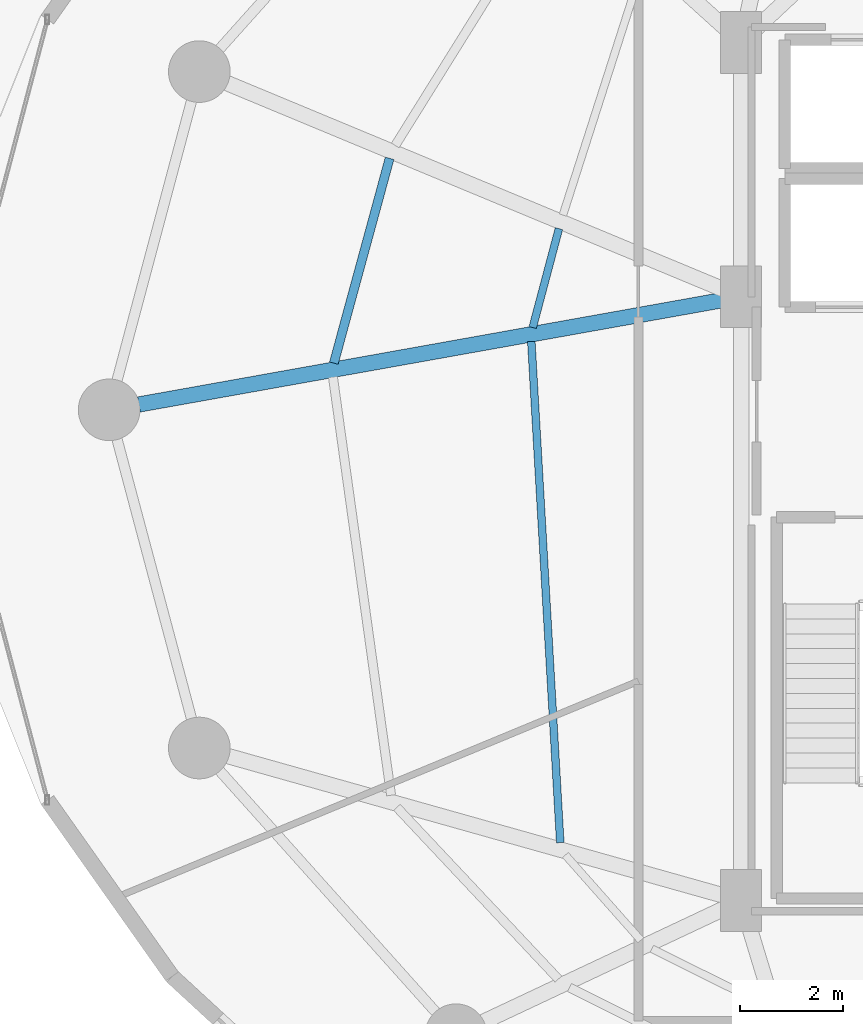
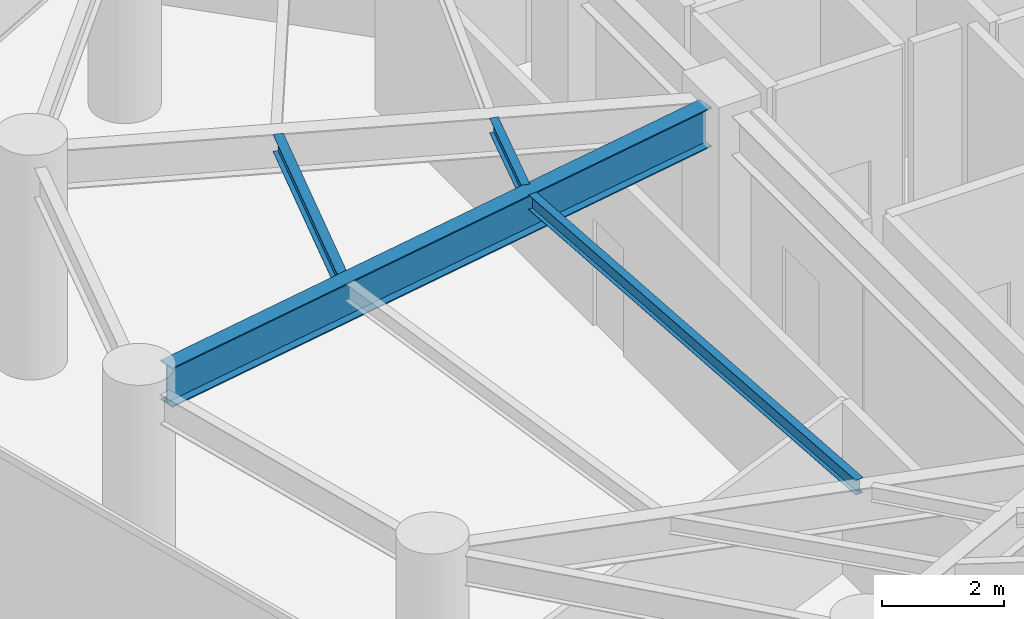
# One storey, part 7 of 27: 4 beams.
"""IFC4 building model written with IfcOpenShell, lengths in metres."""

from ifc_helpers import new_model, si_unit, direction, frame, origin, origin_2d, place, context, subcontext, project, spatial, i_section, extrude, material, material_profile, profile_set, type_object, element, save


model = new_model("IFC4")

# Units and contexts
model_context = context("Model", 3, precision=1e-05, world=origin(), true_north=direction((0.0, 1.0)))
body_context = subcontext(model_context, "Body", "Model", "MODEL_VIEW")
ifc_project = project(units=[si_unit("LENGTHUNIT", "METRE"), si_unit("AREAUNIT", "SQUARE_METRE"), si_unit("VOLUMEUNIT", "CUBIC_METRE"), si_unit("PLANEANGLEUNIT", "RADIAN"), si_unit("MASSUNIT", "GRAM", prefix="KILO")], contexts=[model_context])

# Site, building, storey
site_placement = place(None, origin())
site = spatial("IfcSite", under=ifc_project, at=site_placement, CompositionType="ELEMENT")
building_placement = place(site_placement, origin())
building = spatial("IfcBuilding", under=site, at=building_placement, Name="Vorneva Point Tower", CompositionType="ELEMENT")
storey_placement = place(building_placement, frame((0.0, 0.0, 74.300048828125)))
storey = spatial("IfcBuildingStorey", under=building, at=storey_placement, Name="L19", CompositionType="ELEMENT", Elevation=74.300048828125)

# Beams
ifc_material = material(Name="Steel S355", Category="steel")
ifc_material_profile_1 = material_profile(ifc_material, i_section(OverallWidth=0.300048828125, OverallDepth=0.7880859375, WebThickness=0.014404296875, FlangeThickness=0.02197265625, at=origin_2d()), Name="80Sh1")
ifc_profile_set_1 = profile_set([ifc_material_profile_1], Name="Steel S355")
beam_type_1 = type_object("IfcBeamType", Name="BM-GRD-80Sh1", PredefinedType="USERDEFINED", material=ifc_profile_set_1)
beam_1_placement = place(storey_placement, frame((15.52880859375, 26.103515625, 3.845947265625), z_axis=(0.984377835859, 0.176068953167, 0.0), x_axis=(-0.176068953167, 0.984377835859, 0.0)))
element("IfcBeam", 1, at=beam_1_placement, inside=storey, type_object=beam_type_1, Name="L19 Radial Primary Girder 09", ObjectType="GIRDER", PredefinedType="USERDEFINED", context=body_context, shape_type="SweptSolid", body=[
    extrude(i_section(OverallWidth=0.300048828125, OverallDepth=0.7880859375, WebThickness=0.014404296875, FlangeThickness=0.02197265625, at=origin_2d()), origin(), (0.0, 0.0, 1.0), 11.567138671875),
])
ifc_material_profile_2 = material_profile(ifc_material, i_section(OverallWidth=0.14892578125, OverallDepth=0.298095703125, WebThickness=0.005615234375, FlangeThickness=0.008056640625, at=origin_2d()), Name="30B1")
ifc_profile_set_2 = profile_set([ifc_material_profile_2], Name="Steel S355")
beam_type_2 = type_object("IfcBeamType", Name="BM-JST-30B1", PredefinedType="JOIST", material=ifc_profile_set_2)
beam_2_placement = place(storey_placement, frame((23.70361328125, 29.525634765625, 4.091064453125), z_axis=(-0.256418332479, -0.966565899858, 0.0), x_axis=(0.966565899858, -0.256418332479, 0.0)))
element("IfcBeam", 2, at=beam_2_placement, inside=storey, type_object=beam_type_2, Name="L19 Secondary Floor Beam 2.08", PredefinedType="JOIST", context=body_context, shape_type="SweptSolid", body=[
    extrude(i_section(OverallWidth=0.14892578125, OverallDepth=0.298095703125, WebThickness=0.005615234375, FlangeThickness=0.008056640625, at=origin_2d()), origin(), (0.0, 0.0, 1.0), 1.990966796875),
])
beam_3_placement = place(storey_placement, frame((23.165771484375, 27.330322265625, 4.091064453125), z_axis=(0.057698072373, -0.998334078575, 0.0), x_axis=(0.998334078575, 0.057698072373, 0.0)))
element("IfcBeam", 3, at=beam_3_placement, inside=storey, type_object=beam_type_2, Name="L19 Secondary Floor Beam 2.09", PredefinedType="JOIST", context=body_context, shape_type="SweptSolid", body=[
    extrude(i_section(OverallWidth=0.14892578125, OverallDepth=0.298095703125, WebThickness=0.005615234375, FlangeThickness=0.008056640625, at=origin_2d()), origin(), (0.0, 0.0, 1.0), 9.770263671875),
])
ifc_material_profile_3 = material_profile(ifc_material, i_section(OverallWidth=0.174072265625, OverallDepth=0.345947265625, WebThickness=0.006103515625, FlangeThickness=0.009033203125, at=origin_2d()), Name="35B1")
ifc_profile_set_3 = profile_set([ifc_material_profile_3], Name="Steel S355")
beam_type_3 = type_object("IfcBeamType", Name="BM-SEC-35B1", PredefinedType="BEAM", material=ifc_profile_set_3)
beam_4_placement = place(storey_placement, frame((20.408447265625, 30.894775390625, 4.06689453125), z_axis=(-0.262852379717, -0.96483606197, 0.0), x_axis=(0.96483606197, -0.262852379717, 0.0)))
element("IfcBeam", 4, at=beam_4_placement, inside=storey, type_object=beam_type_3, Name="L19 Secondary Floor Beam 1.08", PredefinedType="BEAM", context=body_context, shape_type="SweptSolid", body=[
    extrude(i_section(OverallWidth=0.174072265625, OverallDepth=0.345947265625, WebThickness=0.006103515625, FlangeThickness=0.009033203125, at=origin_2d()), origin(), (0.0, 0.0, 1.0), 4.13134765625),
])

save(model, "model.ifc")
